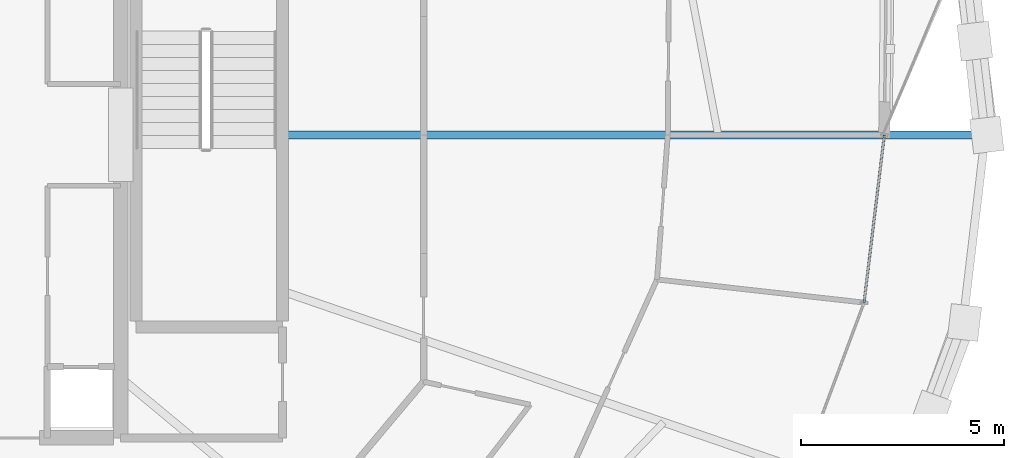
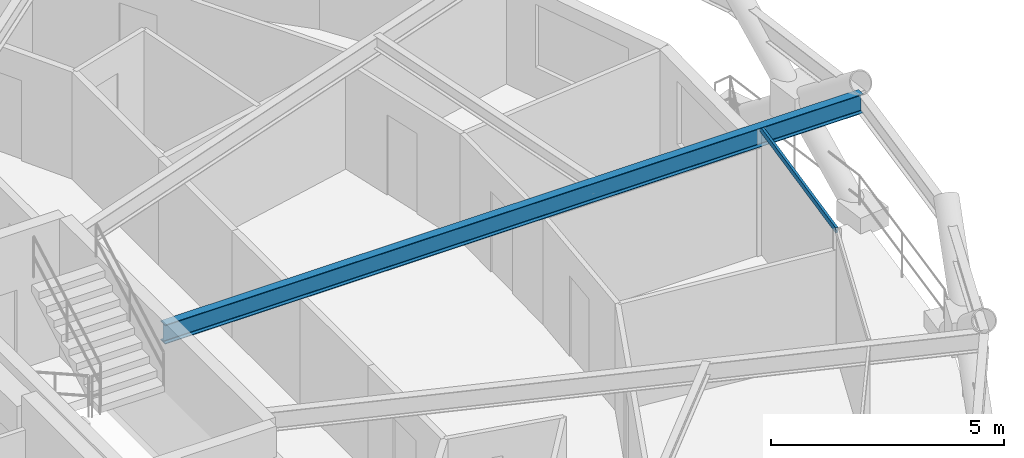
# One storey, part 10 of 21: 1 beam, 1 member, 1 element without a shape of its own.
"""IFC4 building model written with IfcOpenShell, lengths in metres."""

from ifc_helpers import new_model, si_unit, direction, frame, origin, origin_2d, place, context, subcontext, project, spatial, hollow_rectangle, i_section, extrude, material, layer, layer_set, material_profile, profile_set, type_object, element, aggregate, save


model = new_model("IFC4")

# Units and contexts
model_context = context("Model", 3, precision=1e-05, world=origin(), true_north=direction((0.0, 1.0)))
body_context = subcontext(model_context, "Body", "Model", "MODEL_VIEW")
ifc_project = project(units=[si_unit("LENGTHUNIT", "METRE"), si_unit("AREAUNIT", "SQUARE_METRE"), si_unit("VOLUMEUNIT", "CUBIC_METRE"), si_unit("PLANEANGLEUNIT", "RADIAN"), si_unit("MASSUNIT", "GRAM", prefix="KILO")], contexts=[model_context])

# Site, building, storey
site_placement = place(None, origin())
site = spatial("IfcSite", under=ifc_project, at=site_placement, CompositionType="ELEMENT")
building_placement = place(site_placement, origin())
building = spatial("IfcBuilding", under=site, at=building_placement, Name="Veldorina Hangang Commons", CompositionType="ELEMENT")
storey_placement = place(building_placement, frame((0.0, 0.0, 135.199951171875)))
storey = spatial("IfcBuildingStorey", under=building, at=storey_placement, Name="L34", CompositionType="ELEMENT", Elevation=135.199951171875)

# Beam
ifc_material_1 = material(Name="Steel SM420-TMC", Category="steel")
ifc_material_profile_1 = material_profile(ifc_material_1, i_section(OverallWidth=0.199951171875, OverallDepth=0.5, WebThickness=0.010009765625, FlangeThickness=0.01611328125, FilletRadius=0.01611328125, at=origin_2d()), Name="H-500x200x10x16")
ifc_profile_set_1 = profile_set([ifc_material_profile_1], Name="Steel SM420-TMC")
beam_type = type_object("IfcBeamType", Name="BM-FG500", PredefinedType="BEAM", material=ifc_profile_set_1)
beam_placement = place(storey_placement, frame((43.179931640625, 24.0, 3.10009765625), z_axis=(1.0, 0.0, 0.0), x_axis=(0.0, 1.0, 0.0)))
element("IfcBeam", 1, at=beam_placement, inside=storey, type_object=beam_type, Name="L34 radial floor girder 01", PredefinedType="BEAM", context=body_context, shape_type="SweptSolid", body=[
    extrude(i_section(OverallWidth=0.199951171875, OverallDepth=0.5, WebThickness=0.010009765625, FlangeThickness=0.01611328125, FilletRadius=0.01611328125, at=origin_2d()), origin(), (0.0, 0.0, 1.0), 17.284423828125),
])

# Curtain wall, member
ifc_material_2 = material(Name="Glass Low-E Triple IGU", Category="glass")
ifc_layer = layer(ifc_material_2, 0.179931640625)
ifc_layer_set = layer_set([ifc_layer], Name="Glass Low-E Triple IGU")
curtain_wall_type = type_object("IfcCurtainWallType", Name="CW-SYS-Z2", PredefinedType="NOTDEFINED", material=ifc_layer_set)
curtain_wall_placement = place(storey_placement, origin())
curtain_wall = element("IfcCurtainWall", 2, at=curtain_wall_placement, inside=storey, type_object=curtain_wall_type, Name="L34 unitised curtain wall CW-L34-R2", PredefinedType="NOTDEFINED")
ifc_material_3 = material(Name="Aluminium Anodized AA6063-T6", Category="aluminium")
ifc_material_profile_2 = material_profile(ifc_material_3, hollow_rectangle(XDim=0.06005859375, YDim=0.139892578125, WallThickness=0.00341796875, at=origin_2d()), Name="ALU-RHS-140x60x3.5")
ifc_profile_set_2 = profile_set([ifc_material_profile_2], Name="Aluminium Anodized AA6063-T6")
member_type = type_object("IfcMemberType", Name="CW-TRN-140", PredefinedType="USERDEFINED", material=ifc_profile_set_2)
member_placement = place(storey_placement, frame((57.482177734375, 19.877685546875, 3.27001953125), z_axis=(0.120176849777, 0.992752499255, 0.0), x_axis=(-0.992752499255, 0.120176849777, 0.0)))
member = element("IfcMember", 3, at=member_placement, type_object=member_type, Name="CW-L34-R2 facet 5 transom 1", ObjectType="TRANSOM", PredefinedType="USERDEFINED", context=body_context, shape_type="SweptSolid", body=[
    extrude(hollow_rectangle(XDim=0.06005859375, YDim=0.139892578125, WallThickness=0.00341796875, at=origin_2d()), origin(), (0.0, 0.0, 1.0), 4.15234375),
])
aggregate(curtain_wall, [member])

save(model, "model.ifc")
